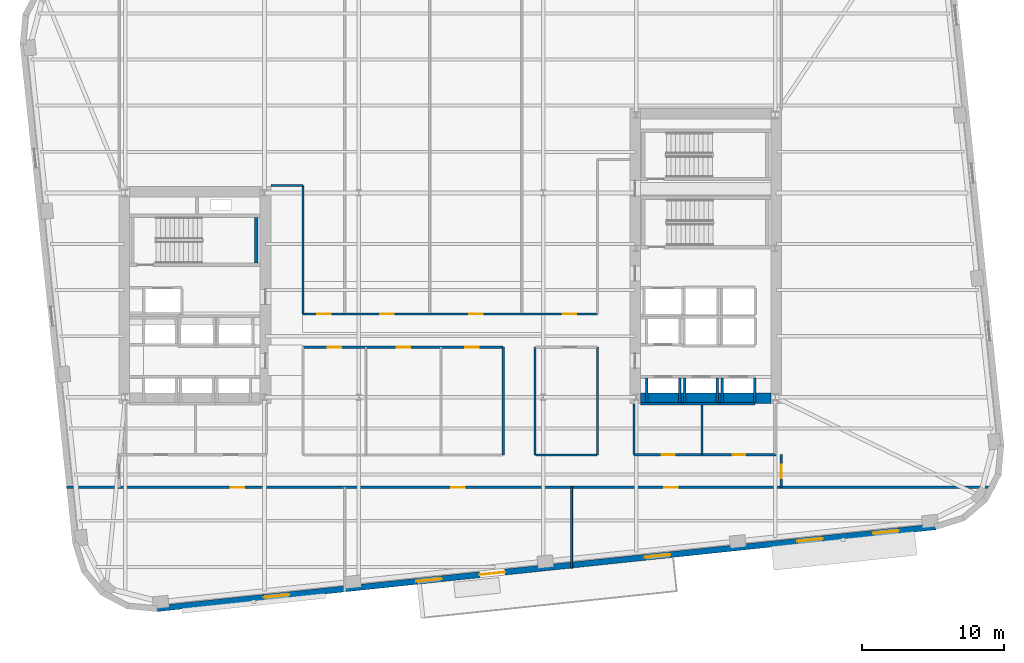
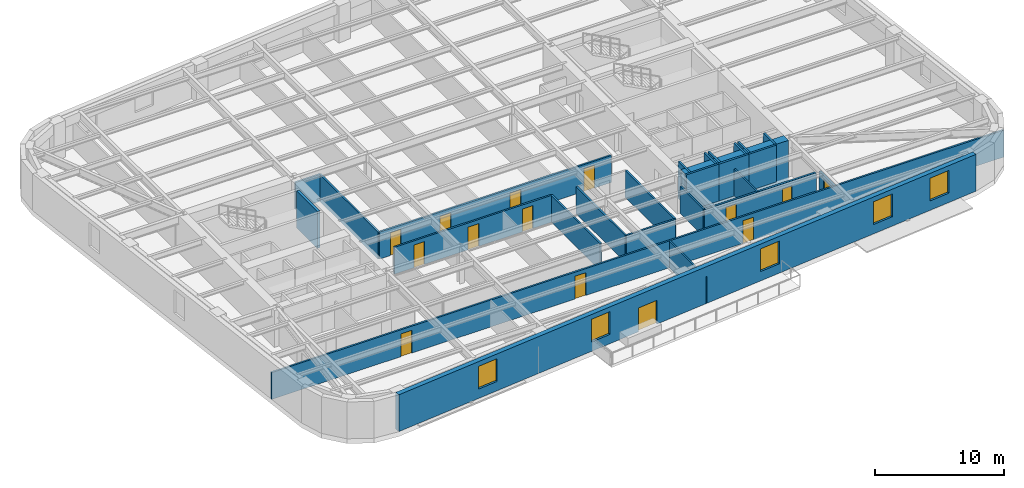
# One storey, part 5 of 11: 26 walls, 14 doors, 5 windows, 19 openings.
"""IFC4 building model written with IfcOpenShell, lengths in metres."""

from ifc_helpers import new_model, si_unit, direction, frame, frame_2d, origin, place, context, subcontext, project, spatial, rectangle, extrude, material, layer, layer_set, type_object, element, fill, save


model = new_model("IFC4")

# Units and contexts
model_context = context("Model", 3, precision=1e-05, world=origin(), true_north=direction((0.0, 1.0)))
body_context = subcontext(model_context, "Body", "Model", "MODEL_VIEW")
ifc_project = project(units=[si_unit("LENGTHUNIT", "METRE"), si_unit("AREAUNIT", "SQUARE_METRE"), si_unit("VOLUMEUNIT", "CUBIC_METRE"), si_unit("PLANEANGLEUNIT", "RADIAN"), si_unit("MASSUNIT", "GRAM", prefix="KILO")], contexts=[model_context])

# Site, building, storey
site_placement = place(None, origin())
site = spatial("IfcSite", under=ifc_project, at=site_placement, CompositionType="ELEMENT")
building_placement = place(site_placement, origin())
building = spatial("IfcBuilding", under=site, at=building_placement, Name="Kolvaren Arena Tower", CompositionType="ELEMENT")
storey_placement = place(building_placement, frame((0.0, 0.0, 99.699951171875)))
storey = spatial("IfcBuildingStorey", under=building, at=storey_placement, Name="L22", CompositionType="ELEMENT", Elevation=99.699951171875)

# Wall, openings, doors
ifc_material_1 = material(Name="Gypsum board acoustic assembly", Category="gypsum")
ifc_layer_1 = layer(ifc_material_1, 0.159912109375)
ifc_layer_set_1 = layer_set([ifc_layer_1], Name="Gypsum board acoustic assembly")
wall_type_1 = type_object("IfcWallType", Name="CORR-160", PredefinedType="PARTITIONING", material=ifc_layer_set_1)
wall_1_placement = place(storey_placement, frame((10.41552734375, 13.10009765625, 0.0), z_axis=(0.0, 0.0, 1.0), x_axis=(1.0, 0.0, 0.0)))
wall_1 = element("IfcWall", 1, at=wall_1_placement, inside=storey, type_object=wall_type_1, Name="Interior Partition Wall (L22)", PredefinedType="PARTITIONING", context=body_context, shape_type="SweptSolid", body=[
    extrude(rectangle(XDim=65.414794921875, YDim=0.159912109375, at=frame_2d((32.70751953125, 0.0))), origin(), (0.0, 0.0, 1.0), 2.5400390625),
])
opening_1_placement = place(wall_1_placement, frame((11.5595703125, 0.0, 0.0)))
opening_1 = element("IfcOpeningElement", 2, at=opening_1_placement, cuts=wall_1, Name="Opening D05", PredefinedType="OPENING", context=body_context, shape_type="SweptSolid", body=[
    extrude(rectangle(XDim=0.949951171875, YDim=2.14990234375, at=frame_2d((0.47509765625, 1.074951171875))), frame((0.0, 0.08984375, 0.0), z_axis=(0.0, -1.0, 0.0), x_axis=(1.0, 0.0, 0.0)), (0.0, 0.0, 1.0), 0.179931640625),
])
opening_2_placement = place(wall_1_placement, frame((27.109619140625, 0.0, 0.0)))
opening_2 = element("IfcOpeningElement", 3, at=opening_2_placement, cuts=wall_1, Name="Opening D05", PredefinedType="OPENING", context=body_context, shape_type="SweptSolid", body=[
    extrude(rectangle(XDim=0.949951171875, YDim=2.14990234375, at=frame_2d((0.47509765625, 1.074951171875))), frame((0.0, 0.08984375, 0.0), z_axis=(0.0, -1.0, 0.0), x_axis=(1.0, 0.0, 0.0)), (0.0, 0.0, 1.0), 0.179931640625),
])
opening_3_placement = place(wall_1_placement, frame((42.109619140625, 0.0, 0.0)))
opening_3 = element("IfcOpeningElement", 4, at=opening_3_placement, cuts=wall_1, Name="Opening D05", PredefinedType="OPENING", context=body_context, shape_type="SweptSolid", body=[
    extrude(rectangle(XDim=0.949951171875, YDim=2.14990234375, at=frame_2d((0.47509765625, 1.074951171875))), frame((0.0, 0.08984375, 0.0), z_axis=(0.0, -1.0, 0.0), x_axis=(1.0, 0.0, 0.0)), (0.0, 0.0, 1.0), 0.179931640625),
])
ifc_material_2 = material(Name="Solid-core oak acoustic office door", Category="wood")
door_type_1 = type_object("IfcDoorType", Name="DOOR-OF-095", OperationType="NOTDEFINED", PredefinedType="DOOR", material=ifc_material_2)
door_1_placement = place(opening_1_placement, origin())
door_1 = element("IfcDoor", 5, at=door_1_placement, inside=storey, type_object=door_type_1, Name="Collaborative Work Studio Door (L22)", OperationType="SINGLE_SWING_RIGHT", OverallHeight=2.14990234375, OverallWidth=0.949951171875, PredefinedType="DOOR", context=body_context, shape_type="SweptSolid", body=[
    extrude(rectangle(XDim=0.949951171875, YDim=2.14990234375, at=frame_2d((0.47509765625, 1.074951171875))), frame((0.0, 0.02490234375, 0.0), z_axis=(0.0, -1.0, 0.0), x_axis=(1.0, 0.0, 0.0)), (0.0, 0.0, 1.0), 0.050048828125),
])
fill(opening_1, door_1)
door_2_placement = place(opening_2_placement, origin())
door_2 = element("IfcDoor", 6, at=door_2_placement, inside=storey, type_object=door_type_1, Name="Meeting Room Door (L22)", OperationType="SINGLE_SWING_LEFT", OverallHeight=2.14990234375, OverallWidth=0.949951171875, PredefinedType="DOOR", context=body_context, shape_type="SweptSolid", body=[
    extrude(rectangle(XDim=0.949951171875, YDim=2.14990234375, at=frame_2d((0.47509765625, 1.074951171875))), frame((0.0, 0.02490234375, 0.0), z_axis=(0.0, -1.0, 0.0), x_axis=(1.0, 0.0, 0.0)), (0.0, 0.0, 1.0), 0.050048828125),
])
fill(opening_2, door_2)
door_3_placement = place(opening_3_placement, origin())
door_3 = element("IfcDoor", 7, at=door_3_placement, inside=storey, type_object=door_type_1, Name="Copy and Print Room Door (L22)", OperationType="SINGLE_SWING_RIGHT", OverallHeight=2.14990234375, OverallWidth=0.949951171875, PredefinedType="DOOR", context=body_context, shape_type="SweptSolid", body=[
    extrude(rectangle(XDim=0.949951171875, YDim=2.14990234375, at=frame_2d((0.47509765625, 1.074951171875))), frame((0.0, 0.02490234375, 0.0), z_axis=(0.0, -1.0, 0.0), x_axis=(1.0, 0.0, 0.0)), (0.0, 0.0, 1.0), 0.050048828125),
])
fill(opening_3, door_3)

wall_2_placement = place(storey_placement, frame((27.080078125, 25.320068359375, 0.0), z_axis=(0.0, 0.0, 1.0), x_axis=(1.0, 0.0, 0.0)))
wall_2 = element("IfcWall", 8, at=wall_2_placement, inside=storey, type_object=wall_type_1, Name="Interior Partition Wall (L22)", PredefinedType="PARTITIONING", context=body_context, shape_type="SweptSolid", body=[
    extrude(rectangle(XDim=20.739990234375, YDim=0.159912109375, at=frame_2d((10.3701171875, 0.0))), origin(), (0.0, 0.0, 1.0), 2.5400390625),
])
opening_4_placement = place(wall_2_placement, frame((0.9951171875, 0.0, 0.0)))
opening_4 = element("IfcOpeningElement", 9, at=opening_4_placement, cuts=wall_2, Name="Opening D05", PredefinedType="OPENING", context=body_context, shape_type="SweptSolid", body=[
    extrude(rectangle(XDim=0.949951171875, YDim=2.14990234375, at=frame_2d((0.47509765625, 1.074951171875))), frame((0.0, 0.08984375, 0.0), z_axis=(0.0, -1.0, 0.0), x_axis=(1.0, 0.0, 0.0)), (0.0, 0.0, 1.0), 0.179931640625),
])
opening_5_placement = place(wall_2_placement, frame((5.445068359375, 0.0, 0.0)))
opening_5 = element("IfcOpeningElement", 10, at=opening_5_placement, cuts=wall_2, Name="Opening D05", PredefinedType="OPENING", context=body_context, shape_type="SweptSolid", body=[
    extrude(rectangle(XDim=0.949951171875, YDim=2.14990234375, at=frame_2d((0.47509765625, 1.074951171875))), frame((0.0, 0.08984375, 0.0), z_axis=(0.0, -1.0, 0.0), x_axis=(1.0, 0.0, 0.0)), (0.0, 0.0, 1.0), 0.179931640625),
])
opening_6_placement = place(wall_2_placement, frame((11.695068359375, 0.0, 0.0)))
opening_6 = element("IfcOpeningElement", 11, at=opening_6_placement, cuts=wall_2, Name="Opening D05", PredefinedType="OPENING", context=body_context, shape_type="SweptSolid", body=[
    extrude(rectangle(XDim=0.949951171875, YDim=2.14990234375, at=frame_2d((0.47509765625, 1.074951171875))), frame((0.0, 0.08984375, 0.0), z_axis=(0.0, -1.0, 0.0), x_axis=(1.0, 0.0, 0.0)), (0.0, 0.0, 1.0), 0.179931640625),
])
opening_7_placement = place(wall_2_placement, frame((18.294921875, 0.0, 0.0)))
opening_7 = element("IfcOpeningElement", 12, at=opening_7_placement, cuts=wall_2, Name="Opening D05", PredefinedType="OPENING", context=body_context, shape_type="SweptSolid", body=[
    extrude(rectangle(XDim=0.949951171875, YDim=2.14990234375, at=frame_2d((0.47509765625, 1.074951171875))), frame((0.0, 0.08984375, 0.0), z_axis=(0.0, -1.0, 0.0), x_axis=(1.0, 0.0, 0.0)), (0.0, 0.0, 1.0), 0.179931640625),
])
door_4_placement = place(opening_4_placement, origin())
door_4 = element("IfcDoor", 13, at=door_4_placement, inside=storey, type_object=door_type_1, Name="Corporate Project Office Door (L22)", OperationType="SINGLE_SWING_LEFT", OverallHeight=2.14990234375, OverallWidth=0.949951171875, PredefinedType="DOOR", context=body_context, shape_type="SweptSolid", body=[
    extrude(rectangle(XDim=0.949951171875, YDim=2.14990234375, at=frame_2d((0.47509765625, 1.074951171875))), frame((0.0, 0.02490234375, 0.0), z_axis=(0.0, -1.0, 0.0), x_axis=(1.0, 0.0, 0.0)), (0.0, 0.0, 1.0), 0.050048828125),
])
fill(opening_4, door_4)
door_5_placement = place(opening_5_placement, origin())
door_5 = element("IfcDoor", 14, at=door_5_placement, inside=storey, type_object=door_type_1, Name="Breakout Pantry and Kitchen Door (L22)", OperationType="SINGLE_SWING_RIGHT", OverallHeight=2.14990234375, OverallWidth=0.949951171875, PredefinedType="DOOR", context=body_context, shape_type="SweptSolid", body=[
    extrude(rectangle(XDim=0.949951171875, YDim=2.14990234375, at=frame_2d((0.47509765625, 1.074951171875))), frame((0.0, 0.02490234375, 0.0), z_axis=(0.0, -1.0, 0.0), x_axis=(1.0, 0.0, 0.0)), (0.0, 0.0, 1.0), 0.050048828125),
])
fill(opening_5, door_5)
door_6_placement = place(opening_6_placement, origin())
door_6 = element("IfcDoor", 15, at=door_6_placement, inside=storey, type_object=door_type_1, Name="Executive Office Door (L22)", OperationType="SINGLE_SWING_LEFT", OverallHeight=2.14990234375, OverallWidth=0.949951171875, PredefinedType="DOOR", context=body_context, shape_type="SweptSolid", body=[
    extrude(rectangle(XDim=0.949951171875, YDim=2.14990234375, at=frame_2d((0.47509765625, 1.074951171875))), frame((0.0, 0.02490234375, 0.0), z_axis=(0.0, -1.0, 0.0), x_axis=(1.0, 0.0, 0.0)), (0.0, 0.0, 1.0), 0.050048828125),
])
fill(opening_6, door_6)
door_7_placement = place(opening_7_placement, origin())
door_7 = element("IfcDoor", 16, at=door_7_placement, inside=storey, type_object=door_type_1, Name="Collaborative Work Studio Door (L22)", OperationType="SINGLE_SWING_RIGHT", OverallHeight=2.14990234375, OverallWidth=0.949951171875, PredefinedType="DOOR", context=body_context, shape_type="SweptSolid", body=[
    extrude(rectangle(XDim=0.949951171875, YDim=2.14990234375, at=frame_2d((0.47509765625, 1.074951171875))), frame((0.0, 0.02490234375, 0.0), z_axis=(0.0, -1.0, 0.0), x_axis=(1.0, 0.0, 0.0)), (0.0, 0.0, 1.0), 0.050048828125),
])
fill(opening_7, door_7)

# Walls
wall_3_placement = place(storey_placement, frame((27.080078125, 25.320068359375, 0.0), z_axis=(0.0, 0.0, 1.0), x_axis=(0.0, 1.0, 0.0)))
element("IfcWall", 17, at=wall_3_placement, inside=storey, type_object=wall_type_1, Name="Interior Partition Wall (L22)", PredefinedType="PARTITIONING", context=body_context, shape_type="SweptSolid", body=[
    extrude(rectangle(XDim=9.059814453125, YDim=0.159912109375, at=frame_2d((4.52978515625, 0.0))), origin(), (0.0, 0.0, 1.0), 2.5400390625),
])
wall_4_placement = place(storey_placement, frame((24.820068359375, 34.3798828125, 0.0), z_axis=(0.0, 0.0, 1.0), x_axis=(1.0, 0.0, 0.0)))
element("IfcWall", 18, at=wall_4_placement, inside=storey, type_object=wall_type_1, Name="Interior Partition Wall (L22)", PredefinedType="PARTITIONING", context=body_context, shape_type="SweptSolid", body=[
    extrude(rectangle(XDim=2.260009765625, YDim=0.159912109375, at=frame_2d((1.1298828125, 0.0))), origin(), (0.0, 0.0, 1.0), 2.5400390625),
])

# Wall, openings, doors
wall_5_placement = place(storey_placement, frame((27.10009765625, 22.97998046875, 0.0), z_axis=(0.0, 0.0, 1.0), x_axis=(1.0, 0.0, 0.0)))
wall_5 = element("IfcWall", 19, at=wall_5_placement, inside=storey, type_object=wall_type_1, Name="Interior Partition Wall (L22)", PredefinedType="PARTITIONING", context=body_context, shape_type="SweptSolid", body=[
    extrude(rectangle(XDim=14.059814453125, YDim=0.159912109375, at=frame_2d((7.02978515625, 0.0))), origin(), (0.0, 0.0, 1.0), 2.5400390625),
])
opening_8_placement = place(wall_5_placement, frame((1.72509765625, 0.0, 0.0)))
opening_8 = element("IfcOpeningElement", 20, at=opening_8_placement, cuts=wall_5, Name="Opening D05", PredefinedType="OPENING", context=body_context, shape_type="SweptSolid", body=[
    extrude(rectangle(XDim=0.949951171875, YDim=2.14990234375, at=frame_2d((0.47509765625, 1.074951171875))), frame((0.0, 0.08984375, 0.0), z_axis=(0.0, -1.0, 0.0), x_axis=(1.0, 0.0, 0.0)), (0.0, 0.0, 1.0), 0.179931640625),
])
opening_9_placement = place(wall_5_placement, frame((6.574951171875, 0.0, 0.0)))
opening_9 = element("IfcOpeningElement", 21, at=opening_9_placement, cuts=wall_5, Name="Opening D05", PredefinedType="OPENING", context=body_context, shape_type="SweptSolid", body=[
    extrude(rectangle(XDim=0.949951171875, YDim=2.14990234375, at=frame_2d((0.47509765625, 1.074951171875))), frame((0.0, 0.08984375, 0.0), z_axis=(0.0, -1.0, 0.0), x_axis=(1.0, 0.0, 0.0)), (0.0, 0.0, 1.0), 0.179931640625),
])
opening_10_placement = place(wall_5_placement, frame((11.405029296875, 0.0, 0.0)))
opening_10 = element("IfcOpeningElement", 22, at=opening_10_placement, cuts=wall_5, Name="Opening D05", PredefinedType="OPENING", context=body_context, shape_type="SweptSolid", body=[
    extrude(rectangle(XDim=0.949951171875, YDim=2.14990234375, at=frame_2d((0.47509765625, 1.074951171875))), frame((0.0, 0.08984375, 0.0), z_axis=(0.0, -1.0, 0.0), x_axis=(1.0, 0.0, 0.0)), (0.0, 0.0, 1.0), 0.179931640625),
])
door_8_placement = place(opening_8_placement, origin())
door_8 = element("IfcDoor", 23, at=door_8_placement, inside=storey, type_object=door_type_1, Name="Meeting Room Door (L22)", OperationType="SINGLE_SWING_LEFT", OverallHeight=2.14990234375, OverallWidth=0.949951171875, PredefinedType="DOOR", context=body_context, shape_type="SweptSolid", body=[
    extrude(rectangle(XDim=0.949951171875, YDim=2.14990234375, at=frame_2d((0.47509765625, 1.074951171875))), frame((0.0, 0.02490234375, 0.0), z_axis=(0.0, -1.0, 0.0), x_axis=(1.0, 0.0, 0.0)), (0.0, 0.0, 1.0), 0.050048828125),
])
fill(opening_8, door_8)
door_9_placement = place(opening_9_placement, origin())
door_9 = element("IfcDoor", 24, at=door_9_placement, inside=storey, type_object=door_type_1, Name="Copy and Print Room Door (L22)", OperationType="SINGLE_SWING_RIGHT", OverallHeight=2.14990234375, OverallWidth=0.949951171875, PredefinedType="DOOR", context=body_context, shape_type="SweptSolid", body=[
    extrude(rectangle(XDim=0.949951171875, YDim=2.14990234375, at=frame_2d((0.47509765625, 1.074951171875))), frame((0.0, 0.02490234375, 0.0), z_axis=(0.0, -1.0, 0.0), x_axis=(1.0, 0.0, 0.0)), (0.0, 0.0, 1.0), 0.050048828125),
])
fill(opening_9, door_9)
door_10_placement = place(opening_10_placement, origin())
door_10 = element("IfcDoor", 25, at=door_10_placement, inside=storey, type_object=door_type_1, Name="Boardroom Door (L22)", OperationType="SINGLE_SWING_LEFT", OverallHeight=2.14990234375, OverallWidth=0.949951171875, PredefinedType="DOOR", context=body_context, shape_type="SweptSolid", body=[
    extrude(rectangle(XDim=0.949951171875, YDim=2.14990234375, at=frame_2d((0.47509765625, 1.074951171875))), frame((0.0, 0.02490234375, 0.0), z_axis=(0.0, -1.0, 0.0), x_axis=(1.0, 0.0, 0.0)), (0.0, 0.0, 1.0), 0.050048828125),
])
fill(opening_10, door_10)

# Walls
wall_6_placement = place(storey_placement, frame((43.43994140625, 15.3798828125, 0.0), z_axis=(0.0, 0.0, 1.0), x_axis=(1.0, 0.0, 0.0)))
element("IfcWall", 26, at=wall_6_placement, inside=storey, type_object=wall_type_1, Name="Interior Partition Wall (L22)", PredefinedType="PARTITIONING", context=body_context, shape_type="SweptSolid", body=[
    extrude(rectangle(XDim=4.360107421875, YDim=0.159912109375, at=frame_2d((2.18017578125, 0.0))), origin(), (0.0, 0.0, 1.0), 2.5400390625),
])
for number, where, z_axis, x_axis, name in (
    (27, (41.179931640625, 15.3798828125, 0.0), (0.0, 0.0, 1.0), (0.0, 1.0, 0.0), "Interior Partition Wall (L22)"),
    (28, (43.419921875, 15.3798828125, 0.0), (0.0, 0.0, 1.0), (0.0, 1.0, 0.0), "Interior Partition Wall (L22)"),
    (29, (47.820068359375, 15.3798828125, 0.0), (0.0, 0.0, 1.0), (0.0, 1.0, 0.0), "Interior Partition Wall (L22)"),
):
    element("IfcWall", number, at=place(storey_placement, frame(where, z_axis=z_axis, x_axis=x_axis)), inside=storey, type_object=wall_type_1, Name=name, PredefinedType="PARTITIONING", context=body_context, shape_type="SweptSolid", body=[
        extrude(rectangle(XDim=7.60009765625, YDim=0.159912109375, at=frame_2d((3.800048828125, 0.0))), origin(), (0.0, 0.0, 1.0), 2.5400390625),
    ])

# Wall, opening, door
wall_7_placement = place(storey_placement, frame((60.780029296875, 13.10009765625, 0.0), z_axis=(0.0, 0.0, 1.0), x_axis=(0.0, 1.0, 0.0)))
wall_7 = element("IfcWall", 30, at=wall_7_placement, inside=storey, type_object=wall_type_1, Name="Interior Partition Wall (L22)", PredefinedType="PARTITIONING", context=body_context, shape_type="SweptSolid", body=[
    extrude(rectangle(XDim=2.2998046875, YDim=0.159912109375, at=frame_2d((1.14990234375, 0.0))), origin(), (0.0, 0.0, 1.0), 2.5400390625),
])
opening_11_placement = place(wall_7_placement, frame((0.64990234375, 0.0, 0.0)))
opening_11 = element("IfcOpeningElement", 31, at=opening_11_placement, cuts=wall_7, Name="Opening D05", PredefinedType="OPENING", context=body_context, shape_type="SweptSolid", body=[
    extrude(rectangle(XDim=0.949951171875, YDim=2.14990234375, at=frame_2d((0.47509765625, 1.074951171875))), frame((0.0, 0.08984375, 0.0), z_axis=(0.0, -1.0, 0.0), x_axis=(1.0, 0.0, 0.0)), (0.0, 0.0, 1.0), 0.179931640625),
])
door_11_placement = place(opening_11_placement, origin())
door_11 = element("IfcDoor", 32, at=door_11_placement, inside=storey, type_object=door_type_1, Name="East Wing Studio Door (L22)", OperationType="SINGLE_SWING_RIGHT", OverallHeight=2.14990234375, OverallWidth=0.949951171875, PredefinedType="DOOR", context=body_context, shape_type="SweptSolid", body=[
    extrude(rectangle(XDim=0.949951171875, YDim=2.14990234375, at=frame_2d((0.47509765625, 1.074951171875))), frame((0.0, 0.02490234375, 0.0), z_axis=(0.0, -1.0, 0.0), x_axis=(1.0, 0.0, 0.0)), (0.0, 0.0, 1.0), 0.050048828125),
])
fill(opening_11, door_11)

# Wall
ifc_material_3 = material(Name="Concrete 70 MPa", Category="concrete")
ifc_layer_2 = layer(ifc_material_3, 0.75)
ifc_layer_set_2 = layer_set([ifc_layer_2], Name="Concrete 70 MPa")
wall_type_2 = type_object("IfcWallType", Name="CWALL-750", PredefinedType="SHEAR", material=ifc_layer_set_2)
wall_8_placement = place(storey_placement, frame((50.85009765625, 19.375, -0.449951171875), z_axis=(0.0, 0.0, 1.0), x_axis=(1.0, 0.0, 0.0)))
element("IfcWall", 33, at=wall_8_placement, inside=storey, type_object=wall_type_2, Name="Core Shear Wall EC-SOUTH (L22)", PredefinedType="SHEAR", context=body_context, shape_type="SweptSolid", body=[
    extrude(rectangle(XDim=9.199951171875, YDim=0.75, at=frame_2d((4.60009765625, 0.0))), origin(), (0.0, 0.0, 1.0), 3.929931640625),
])

# Wall, openings, door, windows
ifc_material_4 = material(Name="Precast concrete C50/60", Category="concrete")
ifc_layer_3 = layer(ifc_material_4, 0.419921875)
ifc_layer_set_3 = layer_set([ifc_layer_3], Name="Precast concrete C50/60")
wall_type_3 = type_object("IfcWallType", Name="EXT-PIER1", PredefinedType="SOLIDWALL", material=ifc_layer_set_3)
wall_9_placement = place(storey_placement, frame((71.641357421875, 10.3203125, 0.0), z_axis=(0.0, 0.0, 1.0), x_axis=(-0.994521775062, -0.104529607897, 0.0)))
wall_9 = element("IfcWall", 34, at=wall_9_placement, inside=storey, type_object=wall_type_3, Name="Exterior Precast Masonry-Frame Wall (L22)", PredefinedType="SOLIDWALL", context=body_context, shape_type="SweptSolid", body=[
    extrude(rectangle(XDim=55.199951171875, YDim=0.419921875, at=frame_2d((27.60009765625, 0.0))), origin(), (0.0, 0.0, 1.0), 3.47998046875),
])
opening_12_placement = place(wall_9_placement, frame((30.5, 0.0, 0.0)))
opening_12 = element("IfcOpeningElement", 35, at=opening_12_placement, cuts=wall_9, Name="Opening D10", PredefinedType="OPENING", context=body_context, shape_type="SweptSolid", body=[
    extrude(rectangle(XDim=1.800048828125, YDim=2.25, at=frame_2d((0.89990234375, 1.125))), frame((0.0, 0.219970703125, 0.0), z_axis=(0.0, -1.0, 0.0), x_axis=(1.0, 0.0, 0.0)), (0.0, 0.0, 1.0), 0.43994140625),
])
opening_13_placement = place(wall_9_placement, frame((2.60009765625, 0.0, 0.8798828125)))
opening_13 = element("IfcOpeningElement", 36, at=opening_13_placement, cuts=wall_9, Name="Opening W02", PredefinedType="OPENING", context=body_context, shape_type="SweptSolid", body=[
    extrude(rectangle(XDim=1.800048828125, YDim=2.14990234375, at=frame_2d((0.89990234375, 1.074951171875))), frame((0.0, 0.219970703125, 0.0), z_axis=(0.0, -1.0, 0.0), x_axis=(1.0, 0.0, 0.0)), (0.0, 0.0, 1.0), 0.43994140625),
])
opening_14_placement = place(wall_9_placement, frame((8.0, 0.0, 0.8798828125)))
opening_14 = element("IfcOpeningElement", 37, at=opening_14_placement, cuts=wall_9, Name="Opening W02", PredefinedType="OPENING", context=body_context, shape_type="SweptSolid", body=[
    extrude(rectangle(XDim=1.800048828125, YDim=2.14990234375, at=frame_2d((0.89990234375, 1.074951171875))), frame((0.0, 0.219970703125, 0.0), z_axis=(0.0, -1.0, 0.0), x_axis=(1.0, 0.0, 0.0)), (0.0, 0.0, 1.0), 0.43994140625),
])
opening_15_placement = place(wall_9_placement, frame((18.800048828125, 0.0, 0.8798828125)))
opening_15 = element("IfcOpeningElement", 38, at=opening_15_placement, cuts=wall_9, Name="Opening W02", PredefinedType="OPENING", context=body_context, shape_type="SweptSolid", body=[
    extrude(rectangle(XDim=1.800048828125, YDim=2.14990234375, at=frame_2d((0.89990234375, 1.074951171875))), frame((0.0, 0.219970703125, 0.0), z_axis=(0.0, -1.0, 0.0), x_axis=(1.0, 0.0, 0.0)), (0.0, 0.0, 1.0), 0.43994140625),
])
opening_16_placement = place(wall_9_placement, frame((35.0, 0.0, 0.8798828125)))
opening_16 = element("IfcOpeningElement", 39, at=opening_16_placement, cuts=wall_9, Name="Opening W02", PredefinedType="OPENING", context=body_context, shape_type="SweptSolid", body=[
    extrude(rectangle(XDim=1.800048828125, YDim=2.14990234375, at=frame_2d((0.89990234375, 1.074951171875))), frame((0.0, 0.219970703125, 0.0), z_axis=(0.0, -1.0, 0.0), x_axis=(1.0, 0.0, 0.0)), (0.0, 0.0, 1.0), 0.43994140625),
])
opening_17_placement = place(wall_9_placement, frame((45.800048828125, 0.0, 0.8798828125)))
opening_17 = element("IfcOpeningElement", 40, at=opening_17_placement, cuts=wall_9, Name="Opening W02", PredefinedType="OPENING", context=body_context, shape_type="SweptSolid", body=[
    extrude(rectangle(XDim=1.800048828125, YDim=2.14990234375, at=frame_2d((0.89990234375, 1.074951171875))), frame((0.0, 0.219970703125, 0.0), z_axis=(0.0, -1.0, 0.0), x_axis=(1.0, 0.0, 0.0)), (0.0, 0.0, 1.0), 0.43994140625),
])
ifc_material_5 = material(Name="Thermally broken glazed terrace door", Category="aluminium")
door_type_2 = type_object("IfcDoorType", Name="DOOR-TR-180", OperationType="DOUBLE_DOOR_SINGLE_SWING", PredefinedType="DOOR", material=ifc_material_5)
door_12_placement = place(opening_12_placement, origin())
door_12 = element("IfcDoor", 41, at=door_12_placement, inside=storey, type_object=door_type_2, Name="Setback Roof Terrace Access Door (L22)", OperationType="DOUBLE_DOOR_SINGLE_SWING", OverallHeight=2.25, OverallWidth=1.800048828125, PredefinedType="DOOR", context=body_context, shape_type="SweptSolid", body=[
    extrude(rectangle(XDim=1.800048828125, YDim=2.25, at=frame_2d((0.89990234375, 1.125))), frame((0.0, 0.02490234375, 0.0), z_axis=(0.0, -1.0, 0.0), x_axis=(1.0, 0.0, 0.0)), (0.0, 0.0, 1.0), 0.050048828125),
])
fill(opening_12, door_12)
ifc_material_6 = material(Name="Triple-glazed low-E aluminium window", Category="aluminium")
window_type = type_object("IfcWindowType", Name="WIN-OFF-B", PartitioningType="DOUBLE_PANEL_VERTICAL", PredefinedType="WINDOW", material=ifc_material_6)
window_1_placement = place(opening_13_placement, origin())
window_1 = element("IfcWindow", 42, at=window_1_placement, inside=storey, type_object=window_type, Name="Punched Precast-Pier Window (L22)", OverallHeight=2.14990234375, OverallWidth=1.800048828125, PartitioningType="DOUBLE_PANEL_VERTICAL", PredefinedType="WINDOW", context=body_context, shape_type="SweptSolid", body=[
    extrude(rectangle(XDim=1.800048828125, YDim=2.14990234375, at=frame_2d((0.89990234375, 1.074951171875))), frame((0.0, 0.030029296875, 0.0), z_axis=(0.0, -1.0, 0.0), x_axis=(1.0, 0.0, 0.0)), (0.0, 0.0, 1.0), 0.06005859375),
])
fill(opening_13, window_1)
window_2_placement = place(opening_14_placement, origin())
window_2 = element("IfcWindow", 43, at=window_2_placement, inside=storey, type_object=window_type, Name="Punched Precast-Pier Window (L22)", OverallHeight=2.14990234375, OverallWidth=1.800048828125, PartitioningType="DOUBLE_PANEL_VERTICAL", PredefinedType="WINDOW", context=body_context, shape_type="SweptSolid", body=[
    extrude(rectangle(XDim=1.800048828125, YDim=2.14990234375, at=frame_2d((0.89990234375, 1.074951171875))), frame((0.0, 0.030029296875, 0.0), z_axis=(0.0, -1.0, 0.0), x_axis=(1.0, 0.0, 0.0)), (0.0, 0.0, 1.0), 0.06005859375),
])
fill(opening_14, window_2)
window_3_placement = place(opening_15_placement, origin())
window_3 = element("IfcWindow", 44, at=window_3_placement, inside=storey, type_object=window_type, Name="Punched Precast-Pier Window (L22)", OverallHeight=2.14990234375, OverallWidth=1.800048828125, PartitioningType="DOUBLE_PANEL_VERTICAL", PredefinedType="WINDOW", context=body_context, shape_type="SweptSolid", body=[
    extrude(rectangle(XDim=1.800048828125, YDim=2.14990234375, at=frame_2d((0.89990234375, 1.074951171875))), frame((0.0, 0.030029296875, 0.0), z_axis=(0.0, -1.0, 0.0), x_axis=(1.0, 0.0, 0.0)), (0.0, 0.0, 1.0), 0.06005859375),
])
fill(opening_15, window_3)
window_4_placement = place(opening_16_placement, origin())
window_4 = element("IfcWindow", 45, at=window_4_placement, inside=storey, type_object=window_type, Name="Punched Precast-Pier Window (L22)", OverallHeight=2.14990234375, OverallWidth=1.800048828125, PartitioningType="DOUBLE_PANEL_VERTICAL", PredefinedType="WINDOW", context=body_context, shape_type="SweptSolid", body=[
    extrude(rectangle(XDim=1.800048828125, YDim=2.14990234375, at=frame_2d((0.89990234375, 1.074951171875))), frame((0.0, 0.030029296875, 0.0), z_axis=(0.0, -1.0, 0.0), x_axis=(1.0, 0.0, 0.0)), (0.0, 0.0, 1.0), 0.06005859375),
])
fill(opening_16, window_4)
window_5_placement = place(opening_17_placement, origin())
window_5 = element("IfcWindow", 46, at=window_5_placement, inside=storey, type_object=window_type, Name="Punched Precast-Pier Window (L22)", OverallHeight=2.14990234375, OverallWidth=1.800048828125, PartitioningType="DOUBLE_PANEL_VERTICAL", PredefinedType="WINDOW", context=body_context, shape_type="SweptSolid", body=[
    extrude(rectangle(XDim=1.800048828125, YDim=2.14990234375, at=frame_2d((0.89990234375, 1.074951171875))), frame((0.0, 0.030029296875, 0.0), z_axis=(0.0, -1.0, 0.0), x_axis=(1.0, 0.0, 0.0)), (0.0, 0.0, 1.0), 0.06005859375),
])
fill(opening_17, window_5)

# Walls
ifc_material_7 = material(Name="Gypsum board partition assembly", Category="gypsum")
ifc_layer_4 = layer(ifc_material_7, 0.135009765625)
ifc_layer_set_4 = layer_set([ifc_layer_4], Name="Gypsum board partition assembly")
wall_type_4 = type_object("IfcWallType", Name="PART-135", PredefinedType="PARTITIONING", material=ifc_layer_set_4)
wall_10_placement = place(storey_placement, frame((46.0, 7.414306640625, 0.0), z_axis=(0.0, 0.0, 1.0), x_axis=(0.0, 1.0, 0.0)))
element("IfcWall", 47, at=wall_10_placement, inside=storey, type_object=wall_type_4, Name="Interior Partition Wall (L22)", PredefinedType="PARTITIONING", context=body_context, shape_type="SweptSolid", body=[
    extrude(rectangle(XDim=5.685791015625, YDim=0.135009765625, at=frame_2d((2.8427734375, 0.0))), origin(), (0.0, 0.0, 1.0), 2.5400390625),
])
ifc_material_8 = material(Name="Concrete 45 MPa", Category="concrete")
ifc_layer_5 = layer(ifc_material_8, 0.25)
ifc_layer_set_5 = layer_set([ifc_layer_5], Name="Concrete 45 MPa")
wall_type_5 = type_object("IfcWallType", Name="SHAFT-250", PredefinedType="SOLIDWALL", material=ifc_layer_set_5)
wall_11_placement = place(storey_placement, frame((23.780029296875, 28.89990234375, 0.0), z_axis=(0.0, 0.0, 1.0), x_axis=(0.0, 1.0, 0.0)))
element("IfcWall", 48, at=wall_11_placement, inside=storey, type_object=wall_type_5, Name="Core Shaft Wall (L22)", PredefinedType="SOLIDWALL", context=body_context, shape_type="SweptSolid", body=[
    extrude(rectangle(XDim=3.22998046875, YDim=0.239990234375, at=frame_2d((1.614990234375, 0.0))), origin(), (0.0, 0.0, 1.0), 3.47998046875),
])
wall_12_placement = place(storey_placement, frame((50.85009765625, 18.9951171875, 0.0), z_axis=(0.0, 0.0, 1.0), x_axis=(1.0, 0.0, 0.0)))
element("IfcWall", 49, at=wall_12_placement, inside=storey, type_object=wall_type_5, Name="Core Shaft Wall (L22)", PredefinedType="SOLIDWALL", context=body_context, shape_type="SweptSolid", body=[
    extrude(rectangle(XDim=2.93994140625, YDim=0.179931640625, at=frame_2d((1.469970703125, 0.0))), origin(), (0.0, 0.0, 1.0), 3.47998046875),
])
for number, where, z_axis, x_axis, name in (
    (50, (51.304931640625, 19.0849609375, 0.0), (0.0, 0.0, 1.0), (0.0, 1.0, 0.0), "Core Shaft Wall (L22)"),
    (51, (53.614990234375, 19.0849609375, 0.0), (0.0, 0.0, 1.0), (0.0, 1.0, 0.0), "Core Shaft Wall (L22)"),
):
    element("IfcWall", number, at=place(storey_placement, frame(where, z_axis=z_axis, x_axis=x_axis)), inside=storey, type_object=wall_type_5, Name=name, PredefinedType="SOLIDWALL", context=body_context, shape_type="SweptSolid", body=[
        extrude(rectangle(XDim=1.72998046875, YDim=0.179931640625, at=frame_2d((0.864990234375, 0.0))), origin(), (0.0, 0.0, 1.0), 3.47998046875),
    ])
wall_13_placement = place(storey_placement, frame((53.7900390625, 18.9951171875, 0.0), z_axis=(0.0, 0.0, 1.0), x_axis=(1.0, 0.0, 0.0)))
element("IfcWall", 52, at=wall_13_placement, inside=storey, type_object=wall_type_5, Name="Core Shaft Wall (L22)", PredefinedType="SOLIDWALL", context=body_context, shape_type="SweptSolid", body=[
    extrude(rectangle(XDim=2.64990234375, YDim=0.179931640625, at=frame_2d((1.324951171875, 0.0))), origin(), (0.0, 0.0, 1.0), 3.47998046875),
])
for number, where, z_axis, x_axis, name in (
    (53, (53.965087890625, 19.0849609375, 0.0), (0.0, 0.0, 1.0), (0.0, 1.0, 0.0), "Core Shaft Wall (L22)"),
    (54, (56.27490234375, 19.0849609375, 0.0), (0.0, 0.0, 1.0), (0.0, 1.0, 0.0), "Core Shaft Wall (L22)"),
):
    element("IfcWall", number, at=place(storey_placement, frame(where, z_axis=z_axis, x_axis=x_axis)), inside=storey, type_object=wall_type_5, Name=name, PredefinedType="SOLIDWALL", context=body_context, shape_type="SweptSolid", body=[
        extrude(rectangle(XDim=1.72998046875, YDim=0.179931640625, at=frame_2d((0.864990234375, 0.0))), origin(), (0.0, 0.0, 1.0), 3.47998046875),
    ])
wall_14_placement = place(storey_placement, frame((56.43994140625, 18.9951171875, 0.0), z_axis=(0.0, 0.0, 1.0), x_axis=(1.0, 0.0, 0.0)))
element("IfcWall", 55, at=wall_14_placement, inside=storey, type_object=wall_type_5, Name="Core Shaft Wall (L22)", PredefinedType="SOLIDWALL", context=body_context, shape_type="SweptSolid", body=[
    extrude(rectangle(XDim=2.47509765625, YDim=0.179931640625, at=frame_2d((1.237548828125, 0.0))), origin(), (0.0, 0.0, 1.0), 3.47998046875),
])
for number, where, z_axis, x_axis, name in (
    (56, (56.60498046875, 19.0849609375, 0.0), (0.0, 0.0, 1.0), (0.0, 1.0, 0.0), "Core Shaft Wall (L22)"),
    (57, (58.9150390625, 19.0849609375, 0.0), (0.0, 0.0, 1.0), (0.0, 1.0, 0.0), "Core Shaft Wall (L22)"),
):
    element("IfcWall", number, at=place(storey_placement, frame(where, z_axis=z_axis, x_axis=x_axis)), inside=storey, type_object=wall_type_5, Name=name, PredefinedType="SOLIDWALL", context=body_context, shape_type="SweptSolid", body=[
        extrude(rectangle(XDim=1.72998046875, YDim=0.179931640625, at=frame_2d((0.864990234375, 0.0))), origin(), (0.0, 0.0, 1.0), 3.47998046875),
    ])

# Wall, openings, doors
wall_15_placement = place(storey_placement, frame((50.39990234375, 15.39990234375, 0.0), z_axis=(0.0, 0.0, 1.0), x_axis=(1.0, 0.0, 0.0)))
wall_15 = element("IfcWall", 58, at=wall_15_placement, inside=storey, type_object=wall_type_5, Name="Interior Partition Wall (L22)", PredefinedType="SOLIDWALL", context=body_context, shape_type="SweptSolid", body=[
    extrude(rectangle(XDim=10.0, YDim=0.179931640625, at=frame_2d((5.0, 0.0))), origin(), (0.0, 0.0, 1.0), 2.5400390625),
])
opening_18_placement = place(wall_15_placement, frame((1.93994140625, 0.0, 0.0)))
opening_18 = element("IfcOpeningElement", 59, at=opening_18_placement, cuts=wall_15, Name="Opening D07", PredefinedType="OPENING", context=body_context, shape_type="SweptSolid", body=[
    extrude(rectangle(XDim=0.919921875, YDim=2.10009765625, at=frame_2d((0.4599609375, 1.050048828125))), frame((0.0, 0.099853515625, 0.0), z_axis=(0.0, -1.0, 0.0), x_axis=(1.0, 0.0, 0.0)), (0.0, 0.0, 1.0), 0.199951171875),
])
opening_19_placement = place(wall_15_placement, frame((6.969970703125, 0.0, 0.0)))
opening_19 = element("IfcOpeningElement", 60, at=opening_19_placement, cuts=wall_15, Name="Opening D09", PredefinedType="OPENING", context=body_context, shape_type="SweptSolid", body=[
    extrude(rectangle(XDim=0.860107421875, YDim=2.050048828125, at=frame_2d((0.43017578125, 1.02490234375))), frame((0.0, 0.099853515625, 0.0), z_axis=(0.0, -1.0, 0.0), x_axis=(1.0, 0.0, 0.0)), (0.0, 0.0, 1.0), 0.199951171875),
])
ifc_material_9 = material(Name="Fire-rated steel riser access door", Category="steel")
door_type_3 = type_object("IfcDoorType", Name="DOOR-RS-086", OperationType="NOTDEFINED", PredefinedType="DOOR", material=ifc_material_9)
door_13_placement = place(opening_19_placement, origin())
door_13 = element("IfcDoor", 61, at=door_13_placement, inside=storey, type_object=door_type_3, Name="Electrical Riser Closet Door (L22)", OperationType="SINGLE_SWING_LEFT", OverallHeight=2.050048828125, OverallWidth=0.860107421875, PredefinedType="DOOR", context=body_context, shape_type="SweptSolid", body=[
    extrude(rectangle(XDim=0.860107421875, YDim=2.050048828125, at=frame_2d((0.43017578125, 1.02490234375))), frame((0.0, 0.02490234375, 0.0), z_axis=(0.0, -1.0, 0.0), x_axis=(1.0, 0.0, 0.0)), (0.0, 0.0, 1.0), 0.050048828125),
])
fill(opening_19, door_13)
ifc_material_10 = material(Name="Laminate universal washroom door", Category="wood")
door_type_4 = type_object("IfcDoorType", Name="DOOR-WC-092", OperationType="NOTDEFINED", PredefinedType="DOOR", material=ifc_material_10)
door_14_placement = place(opening_18_placement, origin())
door_14 = element("IfcDoor", 62, at=door_14_placement, inside=storey, type_object=door_type_4, Name="Cleaner and Janitor Store Door (L22)", OperationType="SINGLE_SWING_RIGHT", OverallHeight=2.10009765625, OverallWidth=0.919921875, PredefinedType="DOOR", context=body_context, shape_type="SweptSolid", body=[
    extrude(rectangle(XDim=0.919921875, YDim=2.10009765625, at=frame_2d((0.4599609375, 1.050048828125))), frame((0.0, 0.02490234375, 0.0), z_axis=(0.0, -1.0, 0.0), x_axis=(1.0, 0.0, 0.0)), (0.0, 0.0, 1.0), 0.050048828125),
])
fill(opening_18, door_14)

# Walls
ifc_material_11 = material(Name="Moisture-resistant gypsum assembly", Category="gypsum")
ifc_layer_6 = layer(ifc_material_11, 0.14990234375)
ifc_layer_set_6 = layer_set([ifc_layer_6], Name="Moisture-resistant gypsum assembly")
wall_type_6 = type_object("IfcWallType", Name="WETW-150", PredefinedType="PARTITIONING", material=ifc_layer_set_6)
for number, where, z_axis, x_axis, name in (
    (63, (55.199951171875, 15.39990234375, 0.0), (0.0, 0.0, 1.0), (0.0, 1.0, 0.0), "Interior Partition Wall (L22)"),
    (64, (50.39990234375, 15.39990234375, 0.0), (0.0, 0.0, 1.0), (0.0, 1.0, 0.0), "Interior Partition Wall (L22)"),
):
    element("IfcWall", number, at=place(storey_placement, frame(where, z_axis=z_axis, x_axis=x_axis)), inside=storey, type_object=wall_type_6, Name=name, PredefinedType="PARTITIONING", context=body_context, shape_type="SweptSolid", body=[
        extrude(rectangle(XDim=3.580078125, YDim=0.14990234375, at=frame_2d((1.7900390625, 0.0))), origin(), (0.0, 0.0, 1.0), 2.5400390625),
    ])

save(model, "model.ifc")
